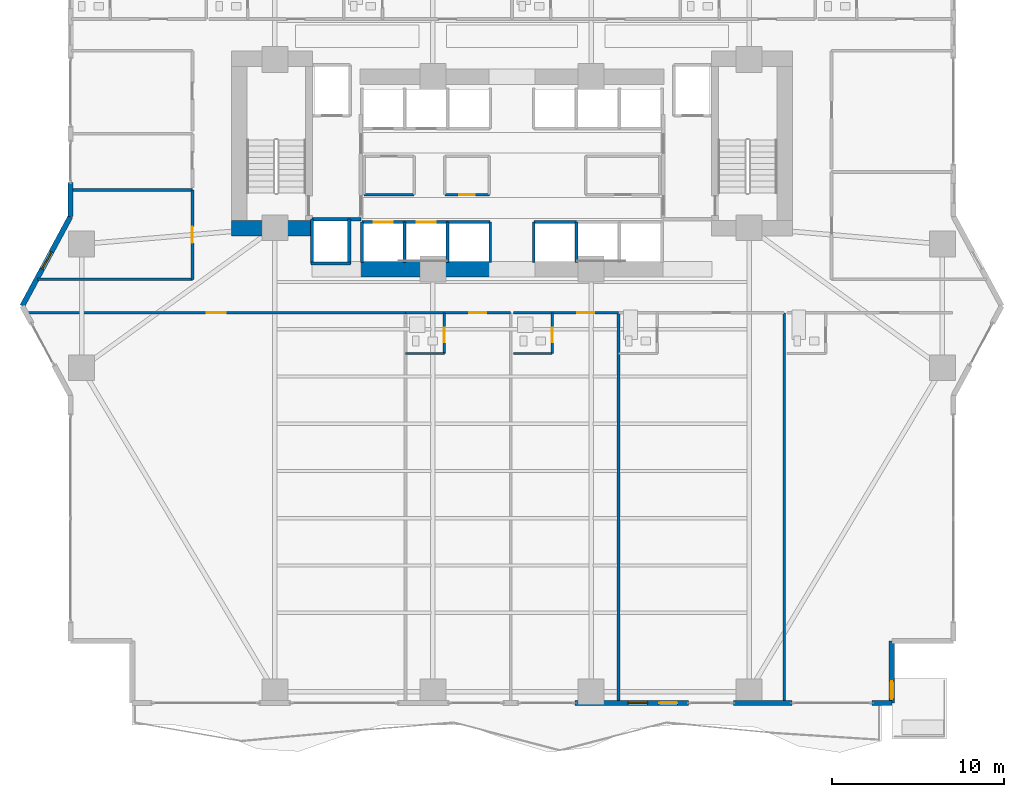
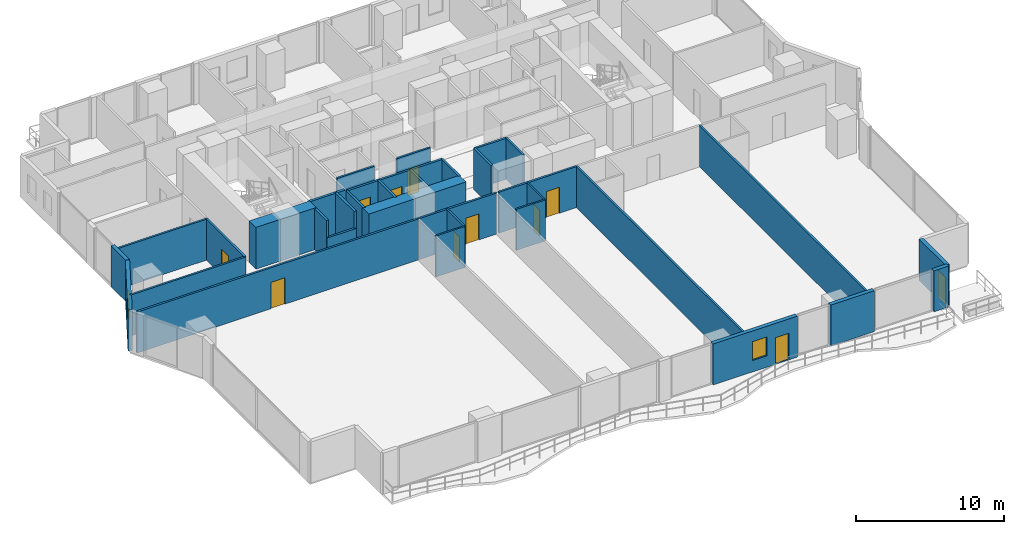
# One storey, part 19 of 30: 36 walls, 11 doors, 2 windows, 13 openings.
"""IFC4 building model written with IfcOpenShell, lengths in metres."""

from ifc_helpers import new_model, si_unit, direction, frame, frame_2d, origin, place, context, subcontext, project, spatial, rectangle, extrude, material, layer, layer_set, type_object, element, fill, save


model = new_model("IFC4")

# Units and contexts
model_context = context("Model", 3, precision=1e-05, world=origin(), true_north=direction((0.0, 1.0)))
body_context = subcontext(model_context, "Body", "Model", "MODEL_VIEW")
ifc_project = project(units=[si_unit("LENGTHUNIT", "METRE"), si_unit("AREAUNIT", "SQUARE_METRE"), si_unit("VOLUMEUNIT", "CUBIC_METRE"), si_unit("PLANEANGLEUNIT", "RADIAN"), si_unit("MASSUNIT", "GRAM", prefix="KILO")], contexts=[model_context])

# Site, building, storey
site_placement = place(None, origin())
site = spatial("IfcSite", under=ifc_project, at=site_placement, CompositionType="ELEMENT")
building_placement = place(site_placement, origin())
building = spatial("IfcBuilding", under=site, at=building_placement, Name="Zuhayl Quay Hotel", CompositionType="ELEMENT")
storey_placement = place(building_placement, frame((0.0, 0.0, 86.0)))
storey = spatial("IfcBuildingStorey", under=building, at=storey_placement, Name="L21", CompositionType="ELEMENT", Elevation=86.0)

# Walls
ifc_material_1 = material(Name="Concrete C70/85", Category="concrete")
ifc_layer_1 = layer(ifc_material_1, 0.89990234375, Name="Concrete C70/85", Category="concrete")
ifc_layer_set_1 = layer_set([ifc_layer_1], Name="Concrete C70/85")
wall_type_1 = type_object("IfcWallType", Name="WL_CORE_900", PredefinedType="SHEAR", material=ifc_layer_set_1)
wall_1_placement = place(storey_placement, frame((-16.31005859375, 4.52001953125, 0.0), z_axis=(0.0, 0.0, 1.0), x_axis=(1.0, 0.0, 0.0)))
element("IfcWall", 1, at=wall_1_placement, inside=storey, type_object=wall_type_1, Name="L21 Core Shear Wall CW_SW", PredefinedType="SHEAR", context=body_context, shape_type="SweptSolid", body=[
    extrude(rectangle(XDim=4.7099609375, YDim=0.89990234375, at=frame_2d((2.35498046875, 0.0))), origin(), (0.0, 0.0, 1.0), 3.4599609375),
])
wall_2_placement = place(storey_placement, frame((-8.85009765625, 2.14990234375, 0.0), z_axis=(0.0, 0.0, 1.0), x_axis=(1.0, 0.0, 0.0)))
element("IfcWall", 2, at=wall_2_placement, inside=storey, type_object=wall_type_1, Name="L21 Core Shear Wall CW_SC_W", PredefinedType="SHEAR", context=body_context, shape_type="SweptSolid", body=[
    extrude(rectangle(XDim=7.60009765625, YDim=0.89990234375, at=frame_2d((3.800048828125, 0.0))), origin(), (0.0, 0.0, 1.0), 3.389892578125),
])

# Wall, opening, window
ifc_material_2 = material(Name="Precast concrete C45/55", Category="concrete")
ifc_layer_2 = layer(ifc_material_2, 0.300048828125, Name="Precast concrete C45/55", Category="concrete")
ifc_layer_set_2 = layer_set([ifc_layer_2], Name="Precast concrete C45/55")
wall_type_2 = type_object("IfcWallType", Name="WL_EXT_300", PredefinedType="STANDARD", material=ifc_layer_set_2)
wall_3_placement = place(storey_placement, frame((-28.5, 0.0, 0.0), z_axis=(0.0, 0.0, 1.0), x_axis=(0.474109683532, 0.880465790352, 0.0)))
wall_3 = element("IfcWall", 3, at=wall_3_placement, inside=storey, type_object=wall_type_2, Name="L21 Exterior Precast Wall ENV_L21_E04_EW1", PredefinedType="STANDARD", context=body_context, shape_type="SweptSolid", body=[
    extrude(rectangle(XDim=5.906005859375, YDim=0.300048828125, at=frame_2d((2.953125, 0.0))), origin(), (0.0, 0.0, 1.0), 3.389892578125),
])
opening_1_placement = place(wall_3_placement, frame((2.43212890625, 0.0, 0.949951171875)))
opening_1 = element("IfcOpeningElement", 4, at=opening_1_placement, cuts=wall_3, Name="Opening W01N", PredefinedType="OPENING", context=body_context, shape_type="SweptSolid", body=[
    extrude(rectangle(XDim=1.14990234375, YDim=1.550048828125, at=frame_2d((0.574951171875, 0.77490234375))), frame((0.0, 0.159912109375, 0.0), z_axis=(0.0, -1.0, 0.0), x_axis=(1.0, 0.0, 0.0)), (0.0, 0.0, 1.0), 0.320068359375),
])
ifc_material_3 = material(Name="Dark Ceramic-Fritted Solar Glass", Category="glass")
window_type = type_object("IfcWindowType", Name="WN_NOTCH_1350", PartitioningType="SINGLE_PANEL", PredefinedType="WINDOW", material=ifc_material_3)
window_1_placement = place(opening_1_placement, origin())
window_1 = element("IfcWindow", 5, at=window_1_placement, inside=storey, type_object=window_type, Name="L21 Operable Facade Window 1-1", OverallHeight=1.550048828125, OverallWidth=1.14990234375, PartitioningType="SINGLE_PANEL", PredefinedType="WINDOW", context=body_context, shape_type="SweptSolid", body=[
    extrude(rectangle(XDim=1.14990234375, YDim=1.550048828125, at=frame_2d((0.574951171875, 0.77490234375))), frame((0.0, 0.030029296875, 0.0), z_axis=(0.0, -1.0, 0.0), x_axis=(1.0, 0.0, 0.0)), (0.0, 0.0, 1.0), 0.06005859375),
])
fill(opening_1, window_1)

# Wall
wall_4_placement = place(storey_placement, frame((-25.699951171875, 5.199951171875, 0.0), z_axis=(0.0, 0.0, 1.0), x_axis=(0.0, 1.0, 0.0)))
element("IfcWall", 6, at=wall_4_placement, inside=storey, type_object=wall_type_2, Name="L21 Exterior Precast Wall ENV_L21_E05_EW1", PredefinedType="STANDARD", context=body_context, shape_type="SweptSolid", body=[
    extrude(rectangle(XDim=2.0, YDim=0.300048828125, at=frame_2d((1.0, 0.0))), origin(), (0.0, 0.0, 1.0), 3.389892578125),
])

# Wall, opening, door
wall_5_placement = place(storey_placement, frame((22.10009765625, -19.5, 0.0), z_axis=(0.0, 0.0, 1.0), x_axis=(0.0, -1.0, 0.0)))
wall_5 = element("IfcWall", 7, at=wall_5_placement, inside=storey, type_object=wall_type_2, Name="L21 Exterior Precast Wall ENV_L21_SP_SE", PredefinedType="STANDARD", context=body_context, shape_type="SweptSolid", body=[
    extrude(rectangle(XDim=3.60009765625, YDim=0.300048828125, at=frame_2d((1.800048828125, 0.0))), origin(), (0.0, 0.0, 1.0), 3.389892578125),
])
opening_2_placement = place(wall_5_placement, frame((2.330078125, 0.0, 0.0)))
opening_2 = element("IfcOpeningElement", 8, at=opening_2_placement, cuts=wall_5, Name="Opening DG1", PredefinedType="OPENING", context=body_context, shape_type="SweptSolid", body=[
    extrude(rectangle(XDim=1.050048828125, YDim=2.199951171875, at=frame_2d((0.52490234375, 1.10009765625))), frame((0.0, 0.159912109375, 0.0), z_axis=(0.0, -1.0, 0.0), x_axis=(1.0, 0.0, 0.0)), (0.0, 0.0, 1.0), 0.320068359375),
])
ifc_material_4 = material(Name="Anodised Aluminium and Dark Solar Glass", Category="aluminium")
door_type_1 = type_object("IfcDoorType", Name="DR_EXT_TERR_1050", OperationType="NOTDEFINED", PredefinedType="DOOR", material=ifc_material_4)
door_1_placement = place(opening_2_placement, origin())
door_1 = element("IfcDoor", 9, at=door_1_placement, inside=storey, type_object=door_type_1, Name="L21 Spiral Sky-Terrace SE Access Door", OperationType="SINGLE_SWING_LEFT", OverallHeight=2.199951171875, OverallWidth=1.050048828125, PredefinedType="DOOR", context=body_context, shape_type="SweptSolid", body=[
    extrude(rectangle(XDim=1.050048828125, YDim=2.199951171875, at=frame_2d((0.52490234375, 1.10009765625))), frame((0.0, 0.02490234375, 0.0), z_axis=(0.0, -1.0, 0.0), x_axis=(1.0, 0.0, 0.0)), (0.0, 0.0, 1.0), 0.050048828125),
])
fill(opening_2, door_1)

# Walls
wall_6_placement = place(storey_placement, frame((22.10009765625, -23.10009765625, 0.0), z_axis=(0.0, 0.0, 1.0), x_axis=(-1.0, 0.0, 0.0)))
element("IfcWall", 10, at=wall_6_placement, inside=storey, type_object=wall_type_2, Name="L21 Exterior Precast Wall ENV_L21_S_EW1", PredefinedType="STANDARD", context=body_context, shape_type="SweptSolid", body=[
    extrude(rectangle(XDim=1.150146484375, YDim=0.300048828125, at=frame_2d((0.5751953125, 0.0))), origin(), (0.0, 0.0, 1.0), 3.389892578125),
])
wall_7_placement = place(storey_placement, frame((16.2900390625, -23.10009765625, 0.0), z_axis=(0.0, 0.0, 1.0), x_axis=(-1.0, 0.0, 0.0)))
element("IfcWall", 11, at=wall_7_placement, inside=storey, type_object=wall_type_2, Name="L21 Exterior Precast Wall ENV_L21_S_EW2", PredefinedType="STANDARD", context=body_context, shape_type="SweptSolid", body=[
    extrude(rectangle(XDim=3.41015625, YDim=0.300048828125, at=frame_2d((1.705078125, 0.0))), origin(), (0.0, 0.0, 1.0), 3.389892578125),
])

# Wall, openings, door, window
wall_8_placement = place(storey_placement, frame((10.26708984375, -23.10009765625, 0.0), z_axis=(0.0, 0.0, 1.0), x_axis=(-1.0, 0.0, 0.0)))
wall_8 = element("IfcWall", 12, at=wall_8_placement, inside=storey, type_object=wall_type_2, Name="L21 Exterior Precast Wall ENV_L21_S_EW3", PredefinedType="STANDARD", context=body_context, shape_type="SweptSolid", body=[
    extrude(rectangle(XDim=6.587158203125, YDim=0.300048828125, at=frame_2d((3.29345703125, 0.0))), origin(), (0.0, 0.0, 1.0), 3.389892578125),
])
opening_3_placement = place(wall_8_placement, frame((0.64990234375, 0.0, 0.0)))
opening_3 = element("IfcOpeningElement", 13, at=opening_3_placement, cuts=wall_8, Name="Opening DG1", PredefinedType="OPENING", context=body_context, shape_type="SweptSolid", body=[
    extrude(rectangle(XDim=1.050048828125, YDim=2.199951171875, at=frame_2d((0.52490234375, 1.10009765625))), frame((0.0, 0.159912109375, 0.0), z_axis=(0.0, -1.0, 0.0), x_axis=(1.0, 0.0, 0.0)), (0.0, 0.0, 1.0), 0.320068359375),
])
opening_4_placement = place(wall_8_placement, frame((2.37353515625, 0.0, 0.949951171875)))
opening_4 = element("IfcOpeningElement", 14, at=opening_4_placement, cuts=wall_8, Name="Opening W01N", PredefinedType="OPENING", context=body_context, shape_type="SweptSolid", body=[
    extrude(rectangle(XDim=1.14990234375, YDim=1.550048828125, at=frame_2d((0.574951171875, 0.77490234375))), frame((0.0, 0.159912109375, 0.0), z_axis=(0.0, -1.0, 0.0), x_axis=(1.0, 0.0, 0.0)), (0.0, 0.0, 1.0), 0.320068359375),
])
door_2_placement = place(opening_3_placement, origin())
door_2 = element("IfcDoor", 15, at=door_2_placement, inside=storey, type_object=door_type_1, Name="L21 South Rippling Balcony Door", OperationType="SINGLE_SWING_RIGHT", OverallHeight=2.199951171875, OverallWidth=1.050048828125, PredefinedType="DOOR", context=body_context, shape_type="SweptSolid", body=[
    extrude(rectangle(XDim=1.050048828125, YDim=2.199951171875, at=frame_2d((0.52490234375, 1.10009765625))), frame((0.0, 0.02490234375, 0.0), z_axis=(0.0, -1.0, 0.0), x_axis=(1.0, 0.0, 0.0)), (0.0, 0.0, 1.0), 0.050048828125),
])
fill(opening_3, door_2)
window_2_placement = place(opening_4_placement, origin())
window_2 = element("IfcWindow", 16, at=window_2_placement, inside=storey, type_object=window_type, Name="L21 Operable Facade Window 3-1", OverallHeight=1.550048828125, OverallWidth=1.14990234375, PartitioningType="SINGLE_PANEL", PredefinedType="WINDOW", context=body_context, shape_type="SweptSolid", body=[
    extrude(rectangle(XDim=1.14990234375, YDim=1.550048828125, at=frame_2d((0.574951171875, 0.77490234375))), frame((0.0, 0.030029296875, 0.0), z_axis=(0.0, -1.0, 0.0), x_axis=(1.0, 0.0, 0.0)), (0.0, 0.0, 1.0), 0.06005859375),
])
fill(opening_4, window_2)

# Wall, opening, door
ifc_material_5 = material(Name="Acoustic Gypsum Partition STC-58")
ifc_layer_3 = layer(ifc_material_5, 0.14990234375, Name="Acoustic Gypsum Partition STC-58")
ifc_layer_set_3 = layer_set([ifc_layer_3], Name="Acoustic Gypsum Partition STC-58")
wall_type_3 = type_object("IfcWallType", Name="WL_PART_150", PredefinedType="PARTITIONING", material=ifc_layer_set_3)
wall_9_placement = place(storey_placement, frame((-3.909912109375, 6.47998046875, 0.0), z_axis=(0.0, 0.0, 1.0), x_axis=(1.0, 0.0, 0.0)))
wall_9 = element("IfcWall", 17, at=wall_9_placement, inside=storey, type_object=wall_type_3, Name="L21 Partition IW_L21_CORE_BC_S", PredefinedType="PARTITIONING", context=body_context, shape_type="SweptSolid", body=[
    extrude(rectangle(XDim=2.58984375, YDim=0.14990234375, at=frame_2d((1.294921875, 0.0))), origin(), (0.0, 0.0, 1.0), 3.389892578125),
])
opening_5_placement = place(wall_9_placement, frame((0.844970703125, 0.0, 0.0)))
opening_5 = element("IfcOpeningElement", 18, at=opening_5_placement, cuts=wall_9, Name="Opening D06", PredefinedType="OPENING", context=body_context, shape_type="SweptSolid", body=[
    extrude(rectangle(XDim=0.89990234375, YDim=2.14990234375, at=frame_2d((0.449951171875, 1.074951171875))), frame((0.0, 0.0849609375, 0.0), z_axis=(0.0, -1.0, 0.0), x_axis=(1.0, 0.0, 0.0)), (0.0, 0.0, 1.0), 0.169921875),
])
ifc_material_6 = material(Name="Steel ASTM A992 Grade 50", Category="steel")
door_type_2 = type_object("IfcDoorType", Name="DR_INT_900", OperationType="NOTDEFINED", PredefinedType="DOOR", material=ifc_material_6)
door_3_placement = place(opening_5_placement, origin())
door_3 = element("IfcDoor", 19, at=door_3_placement, inside=storey, type_object=door_type_2, Name="L21 BMS Control Closet Door", OperationType="SINGLE_SWING_RIGHT", OverallHeight=2.14990234375, OverallWidth=0.89990234375, PredefinedType="DOOR", context=body_context, shape_type="SweptSolid", body=[
    extrude(rectangle(XDim=0.89990234375, YDim=2.14990234375, at=frame_2d((0.449951171875, 1.074951171875))), frame((0.0, 0.02490234375, 0.0), z_axis=(0.0, -1.0, 0.0), x_axis=(1.0, 0.0, 0.0)), (0.0, 0.0, 1.0), 0.050048828125),
])
fill(opening_5, door_3)

# Walls
wall_10_placement = place(storey_placement, frame((-8.610107421875, 6.47998046875, 0.0), z_axis=(0.0, 0.0, 1.0), x_axis=(1.0, 0.0, 0.0)))
element("IfcWall", 20, at=wall_10_placement, inside=storey, type_object=wall_type_3, Name="L21 Partition IW_L21_CORE_HK_S", PredefinedType="PARTITIONING", context=body_context, shape_type="SweptSolid", body=[
    extrude(rectangle(XDim=2.920166015625, YDim=0.14990234375, at=frame_2d((1.4599609375, 0.0))), origin(), (0.0, 0.0, 1.0), 3.389892578125),
])
for number, where, z_axis, x_axis, name in (
    (21, (6.199951171875, -23.02001953125, 0.0), (0.0, 0.0, 1.0), (0.0, 1.0, 0.0), "L21 Partition IW_L21_SU02B_E"),
    (22, (15.840087890625, -23.02001953125, 0.0), (0.0, 0.0, 1.0), (0.0, 1.0, 0.0), "L21 Partition IW_L21_SU03A_E"),
):
    element("IfcWall", number, at=place(storey_placement, frame(where, z_axis=z_axis, x_axis=x_axis)), inside=storey, type_object=wall_type_3, Name=name, PredefinedType="PARTITIONING", context=body_context, shape_type="SweptSolid", body=[
        extrude(rectangle(XDim=22.6201171875, YDim=0.14990234375, at=frame_2d((11.31005859375, 0.0))), origin(), (0.0, 0.0, 1.0), 3.389892578125),
    ])
wall_11_placement = place(storey_placement, frame((-27.60546875, 1.550048828125, 0.0), z_axis=(0.0, 0.0, 1.0), x_axis=(1.0, 0.0, 0.0)))
element("IfcWall", 23, at=wall_11_placement, inside=storey, type_object=wall_type_3, Name="L21 Partition IW_L21_WPROW_1_S", PredefinedType="PARTITIONING", context=body_context, shape_type="SweptSolid", body=[
    extrude(rectangle(XDim=9.00537109375, YDim=0.14990234375, at=frame_2d((4.502685546875, 0.0))), origin(), (0.0, 0.0, 1.0), 3.389892578125),
])
wall_12_placement = place(storey_placement, frame((-25.639892578125, 6.75, 0.0), z_axis=(0.0, 0.0, 1.0), x_axis=(1.0, 0.0, 0.0)))
element("IfcWall", 24, at=wall_12_placement, inside=storey, type_object=wall_type_3, Name="L21 Partition IW_L21_WPROW_1_N", PredefinedType="PARTITIONING", context=body_context, shape_type="SweptSolid", body=[
    extrude(rectangle(XDim=7.039794921875, YDim=0.14990234375, at=frame_2d((3.52001953125, 0.0))), origin(), (0.0, 0.0, 1.0), 3.389892578125),
])

# Wall, opening, door
ifc_layer_4 = layer(ifc_material_5, 0.159912109375, Name="Acoustic Gypsum Partition STC-58")
ifc_layer_set_4 = layer_set([ifc_layer_4], Name="Acoustic Gypsum Partition STC-58")
wall_type_4 = type_object("IfcWallType", Name="WL_PART_CORR_160", PredefinedType="PARTITIONING", material=ifc_layer_set_4)
wall_13_placement = place(storey_placement, frame((-28.224609375, -0.39990234375, 0.0), z_axis=(0.0, 0.0, 1.0), x_axis=(1.0, 0.0, 0.0)))
wall_13 = element("IfcWall", 25, at=wall_13_placement, inside=storey, type_object=wall_type_4, Name="L21 Partition IW_L21_SSAL_0_N", PredefinedType="PARTITIONING", context=body_context, shape_type="SweptSolid", body=[
    extrude(rectangle(XDim=22.024658203125, YDim=0.159912109375, at=frame_2d((11.01220703125, 0.0))), origin(), (0.0, 0.0, 1.0), 3.389892578125),
])
opening_6_placement = place(wall_13_placement, frame((10.472412109375, 0.0, 0.0)))
opening_6 = element("IfcOpeningElement", 26, at=opening_6_placement, cuts=wall_13, Name="Opening D05A", PredefinedType="OPENING", context=body_context, shape_type="SweptSolid", body=[
    extrude(rectangle(XDim=1.080078125, YDim=2.179931640625, at=frame_2d((0.5400390625, 1.08984375))), frame((0.0, 0.08984375, 0.0), z_axis=(0.0, -1.0, 0.0), x_axis=(1.0, 0.0, 0.0)), (0.0, 0.0, 1.0), 0.179931640625),
])
ifc_material_7 = material(Name="Solid Walnut Acoustic Fire Door")
door_type_3 = type_object("IfcDoorType", Name="DR_INT_1100", OperationType="NOTDEFINED", PredefinedType="DOOR", material=ifc_material_7)
door_4_placement = place(opening_6_placement, origin())
door_4 = element("IfcDoor", 27, at=door_4_placement, inside=storey, type_object=door_type_3, Name="L21 South Sunset Salon L21 Door", OperationType="SINGLE_SWING_RIGHT", OverallHeight=2.179931640625, OverallWidth=1.080078125, PredefinedType="DOOR", context=body_context, shape_type="SweptSolid", body=[
    extrude(rectangle(XDim=1.080078125, YDim=2.179931640625, at=frame_2d((0.5400390625, 1.08984375))), frame((0.0, 0.02490234375, 0.0), z_axis=(0.0, -1.0, 0.0), x_axis=(1.0, 0.0, 0.0)), (0.0, 0.0, 1.0), 0.050048828125),
])
fill(opening_6, door_4)

wall_14_placement = place(storey_placement, frame((-6.199951171875, -0.39990234375, 0.0), z_axis=(0.0, 0.0, 1.0), x_axis=(1.0, 0.0, 0.0)))
wall_14 = element("IfcWall", 28, at=wall_14_placement, inside=storey, type_object=wall_type_4, Name="L21 Partition IW_L21_SU02A_COR", PredefinedType="PARTITIONING", context=body_context, shape_type="SweptSolid", body=[
    extrude(rectangle(XDim=6.119873046875, YDim=0.159912109375, at=frame_2d((3.06005859375, 0.0))), origin(), (0.0, 0.0, 1.0), 3.389892578125),
])
opening_7_placement = place(wall_14_placement, frame((3.7099609375, 0.0, 0.0)))
opening_7 = element("IfcOpeningElement", 29, at=opening_7_placement, cuts=wall_14, Name="Opening D03L", PredefinedType="OPENING", context=body_context, shape_type="SweptSolid", body=[
    extrude(rectangle(XDim=1.0, YDim=2.14990234375, at=frame_2d((0.5, 1.074951171875))), frame((0.0, 0.08984375, 0.0), z_axis=(0.0, -1.0, 0.0), x_axis=(1.0, 0.0, 0.0)), (0.0, 0.0, 1.0), 0.179931640625),
])
door_type_4 = type_object("IfcDoorType", Name="DR_SUITE_1000", OperationType="NOTDEFINED", PredefinedType="DOOR", material=ifc_material_7)
door_5_placement = place(opening_7_placement, origin())
door_5 = element("IfcDoor", 30, at=door_5_placement, inside=storey, type_object=door_type_4, Name="L21 City-View Junior Suite L21-02A Entrance Door", OperationType="SINGLE_SWING_RIGHT", OverallHeight=2.14990234375, OverallWidth=1.0, PredefinedType="DOOR", context=body_context, shape_type="SweptSolid", body=[
    extrude(rectangle(XDim=1.0, YDim=2.14990234375, at=frame_2d((0.5, 1.074951171875))), frame((0.0, 0.02490234375, 0.0), z_axis=(0.0, -1.0, 0.0), x_axis=(1.0, 0.0, 0.0)), (0.0, 0.0, 1.0), 0.050048828125),
])
fill(opening_7, door_5)

wall_15_placement = place(storey_placement, frame((0.080078125, -0.39990234375, 0.0), z_axis=(0.0, 0.0, 1.0), x_axis=(1.0, 0.0, 0.0)))
wall_15 = element("IfcWall", 31, at=wall_15_placement, inside=storey, type_object=wall_type_4, Name="L21 Partition IW_L21_SU02B_COR", PredefinedType="PARTITIONING", context=body_context, shape_type="SweptSolid", body=[
    extrude(rectangle(XDim=6.119873046875, YDim=0.159912109375, at=frame_2d((3.06005859375, 0.0))), origin(), (0.0, 0.0, 1.0), 3.389892578125),
])
opening_8_placement = place(wall_15_placement, frame((3.7099609375, 0.0, 0.0)))
opening_8 = element("IfcOpeningElement", 32, at=opening_8_placement, cuts=wall_15, Name="Opening D03L", PredefinedType="OPENING", context=body_context, shape_type="SweptSolid", body=[
    extrude(rectangle(XDim=1.0, YDim=2.14990234375, at=frame_2d((0.5, 1.074951171875))), frame((0.0, 0.08984375, 0.0), z_axis=(0.0, -1.0, 0.0), x_axis=(1.0, 0.0, 0.0)), (0.0, 0.0, 1.0), 0.179931640625),
])
door_6_placement = place(opening_8_placement, origin())
door_6 = element("IfcDoor", 33, at=door_6_placement, inside=storey, type_object=door_type_4, Name="L21 City-View Junior Suite L21-02B Entrance Door", OperationType="SINGLE_SWING_RIGHT", OverallHeight=2.14990234375, OverallWidth=1.0, PredefinedType="DOOR", context=body_context, shape_type="SweptSolid", body=[
    extrude(rectangle(XDim=1.0, YDim=2.14990234375, at=frame_2d((0.5, 1.074951171875))), frame((0.0, 0.02490234375, 0.0), z_axis=(0.0, -1.0, 0.0), x_axis=(1.0, 0.0, 0.0)), (0.0, 0.0, 1.0), 0.050048828125),
])
fill(opening_8, door_6)

wall_16_placement = place(storey_placement, frame((-18.60009765625, 1.550048828125, 0.0), z_axis=(0.0, 0.0, 1.0), x_axis=(0.0, 1.0, 0.0)))
wall_16 = element("IfcWall", 34, at=wall_16_placement, inside=storey, type_object=wall_type_4, Name="L21 Partition IW_L21_WPROW_1_E", PredefinedType="PARTITIONING", context=body_context, shape_type="SweptSolid", body=[
    extrude(rectangle(XDim=5.199951171875, YDim=0.159912109375, at=frame_2d((2.60009765625, 0.0))), origin(), (0.0, 0.0, 1.0), 3.389892578125),
])
opening_9_placement = place(wall_16_placement, frame((2.125, 0.0, 0.0)))
opening_9 = element("IfcOpeningElement", 35, at=opening_9_placement, cuts=wall_16, Name="Opening D03", PredefinedType="OPENING", context=body_context, shape_type="SweptSolid", body=[
    extrude(rectangle(XDim=0.949951171875, YDim=2.14990234375, at=frame_2d((0.47509765625, 1.074951171875))), frame((0.0, 0.08984375, 0.0), z_axis=(0.0, -1.0, 0.0), x_axis=(1.0, 0.0, 0.0)), (0.0, 0.0, 1.0), 0.179931640625),
])
door_type_5 = type_object("IfcDoorType", Name="DR_SUITE_950", OperationType="NOTDEFINED", PredefinedType="DOOR", material=ifc_material_7)
door_7_placement = place(opening_9_placement, origin())
door_7 = element("IfcDoor", 36, at=door_7_placement, inside=storey, type_object=door_type_5, Name="L21 West Prow Office L21 Door", OperationType="SINGLE_SWING_LEFT", OverallHeight=2.14990234375, OverallWidth=0.949951171875, PredefinedType="DOOR", context=body_context, shape_type="SweptSolid", body=[
    extrude(rectangle(XDim=0.949951171875, YDim=2.14990234375, at=frame_2d((0.47509765625, 1.074951171875))), frame((0.0, 0.02490234375, 0.0), z_axis=(0.0, -1.0, 0.0), x_axis=(1.0, 0.0, 0.0)), (0.0, 0.0, 1.0), 0.050048828125),
])
fill(opening_9, door_7)

ifc_material_8 = material(Name="Moisture-Resistant Sanitarychase Gypsum")
ifc_layer_5 = layer(ifc_material_8, 0.135009765625, Name="Moisture-Resistant Sanitarychase Gypsum")
ifc_layer_set_5 = layer_set([ifc_layer_5], Name="Moisture-Resistant Sanitarychase Gypsum")
wall_type_5 = type_object("IfcWallType", Name="WL_PART_PLUMB_150", PredefinedType="PLUMBINGWALL", material=ifc_layer_set_5)
wall_17_placement = place(storey_placement, frame((-3.93994140625, -2.760009765625, 0.0), z_axis=(0.0, 0.0, 1.0), x_axis=(0.0, 1.0, 0.0)))
wall_17 = element("IfcWall", 37, at=wall_17_placement, inside=storey, type_object=wall_type_5, Name="L21 Partition IW_L21_SU02A_BE", PredefinedType="PLUMBINGWALL", context=body_context, shape_type="SweptSolid", body=[
    extrude(rectangle(XDim=2.360107421875, YDim=0.135009765625, at=frame_2d((1.18017578125, 0.0))), origin(), (0.0, 0.0, 1.0), 3.389892578125),
])
opening_10_placement = place(wall_17_placement, frame((0.64990234375, 0.0, 0.0)))
opening_10 = element("IfcOpeningElement", 38, at=opening_10_placement, cuts=wall_17, Name="Opening D04", PredefinedType="OPENING", context=body_context, shape_type="SweptSolid", body=[
    extrude(rectangle(XDim=0.85009765625, YDim=2.10009765625, at=frame_2d((0.425048828125, 1.050048828125))), frame((0.0, 0.077392578125, 0.0), z_axis=(0.0, -1.0, 0.0), x_axis=(1.0, 0.0, 0.0)), (0.0, 0.0, 1.0), 0.155029296875),
])
ifc_material_9 = material(Name="Moisture-Resistant Walnut Veneer")
door_type_6 = type_object("IfcDoorType", Name="DR_BATH_850", OperationType="NOTDEFINED", PredefinedType="DOOR", material=ifc_material_9)
door_8_placement = place(opening_10_placement, origin())
door_8 = element("IfcDoor", 39, at=door_8_placement, inside=storey, type_object=door_type_6, Name="L21 City-View Junior Suite L21-02A En-Suite Door", OperationType="SINGLE_SWING_LEFT", OverallHeight=2.10009765625, OverallWidth=0.85009765625, PredefinedType="DOOR", context=body_context, shape_type="SweptSolid", body=[
    extrude(rectangle(XDim=0.85009765625, YDim=2.10009765625, at=frame_2d((0.425048828125, 1.050048828125))), frame((0.0, 0.02490234375, 0.0), z_axis=(0.0, -1.0, 0.0), x_axis=(1.0, 0.0, 0.0)), (0.0, 0.0, 1.0), 0.050048828125),
])
fill(opening_10, door_8)

wall_18_placement = place(storey_placement, frame((2.340087890625, -2.760009765625, 0.0), z_axis=(0.0, 0.0, 1.0), x_axis=(0.0, 1.0, 0.0)))
wall_18 = element("IfcWall", 40, at=wall_18_placement, inside=storey, type_object=wall_type_5, Name="L21 Partition IW_L21_SU02B_BE", PredefinedType="PLUMBINGWALL", context=body_context, shape_type="SweptSolid", body=[
    extrude(rectangle(XDim=2.360107421875, YDim=0.135009765625, at=frame_2d((1.18017578125, 0.0))), origin(), (0.0, 0.0, 1.0), 3.389892578125),
])
opening_11_placement = place(wall_18_placement, frame((0.64990234375, 0.0, 0.0)))
opening_11 = element("IfcOpeningElement", 41, at=opening_11_placement, cuts=wall_18, Name="Opening D04", PredefinedType="OPENING", context=body_context, shape_type="SweptSolid", body=[
    extrude(rectangle(XDim=0.85009765625, YDim=2.10009765625, at=frame_2d((0.425048828125, 1.050048828125))), frame((0.0, 0.077392578125, 0.0), z_axis=(0.0, -1.0, 0.0), x_axis=(1.0, 0.0, 0.0)), (0.0, 0.0, 1.0), 0.155029296875),
])
door_9_placement = place(opening_11_placement, origin())
door_9 = element("IfcDoor", 42, at=door_9_placement, inside=storey, type_object=door_type_6, Name="L21 City-View Junior Suite L21-02B En-Suite Door", OperationType="SINGLE_SWING_LEFT", OverallHeight=2.10009765625, OverallWidth=0.85009765625, PredefinedType="DOOR", context=body_context, shape_type="SweptSolid", body=[
    extrude(rectangle(XDim=0.85009765625, YDim=2.10009765625, at=frame_2d((0.425048828125, 1.050048828125))), frame((0.0, 0.02490234375, 0.0), z_axis=(0.0, -1.0, 0.0), x_axis=(1.0, 0.0, 0.0)), (0.0, 0.0, 1.0), 0.050048828125),
])
fill(opening_11, door_9)

# Walls
for number, where, z_axis, x_axis, name in (
    (43, (-6.199951171875, -2.760009765625, 0.0), (0.0, 0.0, 1.0), (1.0, 0.0, 0.0), "L21 Partition IW_L21_SU02A_BS"),
    (44, (0.080078125, -2.760009765625, 0.0), (0.0, 0.0, 1.0), (1.0, 0.0, 0.0), "L21 Partition IW_L21_SU02B_BS"),
):
    element("IfcWall", number, at=place(storey_placement, frame(where, z_axis=z_axis, x_axis=x_axis)), inside=storey, type_object=wall_type_5, Name=name, PredefinedType="PLUMBINGWALL", context=body_context, shape_type="SweptSolid", body=[
        extrude(rectangle(XDim=2.260009765625, YDim=0.135009765625, at=frame_2d((1.1298828125, 0.0))), origin(), (0.0, 0.0, 1.0), 3.389892578125),
    ])

# Wall, opening, door
ifc_material_10 = material(Name="Gypsum Fireboard Assembly EI-90")
ifc_layer_6 = layer(ifc_material_10, 0.1650390625, Name="Gypsum Fireboard Assembly EI-90")
ifc_layer_set_6 = layer_set([ifc_layer_6], Name="Gypsum Fireboard Assembly EI-90")
wall_type_6 = type_object("IfcWallType", Name="WL_PART_SHAFT_160", PredefinedType="PARTITIONING", material=ifc_layer_set_6)
wall_19_placement = place(storey_placement, frame((-8.72998046875, 4.8798828125, 0.0), z_axis=(0.0, 0.0, 1.0), x_axis=(1.0, 0.0, 0.0)))
wall_19 = element("IfcWall", 45, at=wall_19_placement, inside=storey, type_object=wall_type_6, Name="L21 Partition IW_L21_SH_LP1_F", PredefinedType="PARTITIONING", context=body_context, shape_type="SweptSolid", body=[
    extrude(rectangle(XDim=2.47998046875, YDim=0.1650390625, at=frame_2d((1.239990234375, 0.0))), origin(), (0.0, 0.0, 1.0), 3.389892578125),
])
opening_12_placement = place(wall_19_placement, frame((0.68994140625, 0.0, 0.0)))
opening_12 = element("IfcOpeningElement", 46, at=opening_12_placement, cuts=wall_19, Name="Opening LD1", PredefinedType="OPENING", context=body_context, shape_type="SweptSolid", body=[
    extrude(rectangle(XDim=1.10009765625, YDim=2.25, at=frame_2d((0.550048828125, 1.125))), frame((0.0, 0.092529296875, 0.0), z_axis=(0.0, -1.0, 0.0), x_axis=(1.0, 0.0, 0.0)), (0.0, 0.0, 1.0), 0.18505859375),
])
ifc_material_11 = material(Name="Brushed Stainless Steel", Category="steel")
door_type_7 = type_object("IfcDoorType", Name="DR_LIFT_PASS_1100", OperationType="SLIDING_TO_LEFT", PredefinedType="DOOR", material=ifc_material_11)
door_10_placement = place(opening_12_placement, origin())
door_10 = element("IfcDoor", 47, at=door_10_placement, inside=storey, type_object=door_type_7, Name="L21 Lift LP1 Sliding Landing Door", OperationType="SLIDING_TO_LEFT", OverallHeight=2.25, OverallWidth=1.10009765625, PredefinedType="DOOR", context=body_context, shape_type="SweptSolid", body=[
    extrude(rectangle(XDim=1.10009765625, YDim=2.25, at=frame_2d((0.550048828125, 1.125))), frame((0.0, 0.02490234375, 0.0), z_axis=(0.0, -1.0, 0.0), x_axis=(1.0, 0.0, 0.0)), (0.0, 0.0, 1.0), 0.050048828125),
])
fill(opening_12, door_10)

wall_20_placement = place(storey_placement, frame((-6.25, 4.8798828125, 0.0), z_axis=(0.0, 0.0, 1.0), x_axis=(1.0, 0.0, 0.0)))
wall_20 = element("IfcWall", 48, at=wall_20_placement, inside=storey, type_object=wall_type_6, Name="L21 Partition IW_L21_SH_LP2_F", PredefinedType="PARTITIONING", context=body_context, shape_type="SweptSolid", body=[
    extrude(rectangle(XDim=2.5, YDim=0.1650390625, at=frame_2d((1.25, 0.0))), origin(), (0.0, 0.0, 1.0), 3.389892578125),
])
opening_13_placement = place(wall_20_placement, frame((0.699951171875, 0.0, 0.0)))
opening_13 = element("IfcOpeningElement", 49, at=opening_13_placement, cuts=wall_20, Name="Opening LD1", PredefinedType="OPENING", context=body_context, shape_type="SweptSolid", body=[
    extrude(rectangle(XDim=1.10009765625, YDim=2.25, at=frame_2d((0.550048828125, 1.125))), frame((0.0, 0.092529296875, 0.0), z_axis=(0.0, -1.0, 0.0), x_axis=(1.0, 0.0, 0.0)), (0.0, 0.0, 1.0), 0.18505859375),
])
door_11_placement = place(opening_13_placement, origin())
door_11 = element("IfcDoor", 50, at=door_11_placement, inside=storey, type_object=door_type_7, Name="L21 Lift LP2 Sliding Landing Door", OperationType="SLIDING_TO_LEFT", OverallHeight=2.25, OverallWidth=1.10009765625, PredefinedType="DOOR", context=body_context, shape_type="SweptSolid", body=[
    extrude(rectangle(XDim=1.10009765625, YDim=2.25, at=frame_2d((0.550048828125, 1.125))), frame((0.0, 0.02490234375, 0.0), z_axis=(0.0, -1.0, 0.0), x_axis=(1.0, 0.0, 0.0)), (0.0, 0.0, 1.0), 0.050048828125),
])
fill(opening_13, door_11)

# Walls
for number, where, z_axis, x_axis, name in (
    (51, (-8.72998046875, 2.52001953125, 0.0), (0.0, 0.0, 1.0), (0.0, 1.0, 0.0), "L21 Partition IW_L21_SH_LP1_W"),
    (52, (-6.25, 2.52001953125, 0.0), (0.0, 0.0, 1.0), (0.0, 1.0, 0.0), "L21 Partition IW_L21_SH_LP1_E"),
    (53, (-3.75, 2.52001953125, 0.0), (0.0, 0.0, 1.0), (0.0, 1.0, 0.0), "L21 Partition IW_L21_SH_LP2_E"),
):
    element("IfcWall", number, at=place(storey_placement, frame(where, z_axis=z_axis, x_axis=x_axis)), inside=storey, type_object=wall_type_6, Name=name, PredefinedType="PARTITIONING", context=body_context, shape_type="SweptSolid", body=[
        extrude(rectangle(XDim=2.35986328125, YDim=0.1650390625, at=frame_2d((1.179931640625, 0.0))), origin(), (0.0, 0.0, 1.0), 3.389892578125),
    ])
wall_21_placement = place(storey_placement, frame((-3.75, 4.8798828125, 0.0), z_axis=(0.0, 0.0, 1.0), x_axis=(1.0, 0.0, 0.0)))
element("IfcWall", 54, at=wall_21_placement, inside=storey, type_object=wall_type_6, Name="L21 Partition IW_L21_SH_MP1_F", PredefinedType="PARTITIONING", context=body_context, shape_type="SweptSolid", body=[
    extrude(rectangle(XDim=2.47998046875, YDim=0.1650390625, at=frame_2d((1.239990234375, 0.0))), origin(), (0.0, 0.0, 1.0), 3.389892578125),
])
wall_22_placement = place(storey_placement, frame((-1.27001953125, 2.52001953125, 0.0), z_axis=(0.0, 0.0, 1.0), x_axis=(0.0, 1.0, 0.0)))
element("IfcWall", 55, at=wall_22_placement, inside=storey, type_object=wall_type_6, Name="L21 Partition IW_L21_SH_MP1_E", PredefinedType="PARTITIONING", context=body_context, shape_type="SweptSolid", body=[
    extrude(rectangle(XDim=2.35986328125, YDim=0.1650390625, at=frame_2d((1.179931640625, 0.0))), origin(), (0.0, 0.0, 1.0), 3.389892578125),
])
wall_23_placement = place(storey_placement, frame((1.27001953125, 4.8798828125, 0.0), z_axis=(0.0, 0.0, 1.0), x_axis=(1.0, 0.0, 0.0)))
element("IfcWall", 56, at=wall_23_placement, inside=storey, type_object=wall_type_6, Name="L21 Partition IW_L21_SH_MP2_F", PredefinedType="PARTITIONING", context=body_context, shape_type="SweptSolid", body=[
    extrude(rectangle(XDim=2.47998046875, YDim=0.1650390625, at=frame_2d((1.239990234375, 0.0))), origin(), (0.0, 0.0, 1.0), 3.389892578125),
])
for number, where, z_axis, x_axis, name in (
    (57, (1.27001953125, 2.52001953125, 0.0), (0.0, 0.0, 1.0), (0.0, 1.0, 0.0), "L21 Partition IW_L21_SH_MP2_W"),
    (58, (3.75, 2.52001953125, 0.0), (0.0, 0.0, 1.0), (0.0, 1.0, 0.0), "L21 Partition IW_L21_SH_MP2_E"),
):
    element("IfcWall", number, at=place(storey_placement, frame(where, z_axis=z_axis, x_axis=x_axis)), inside=storey, type_object=wall_type_6, Name=name, PredefinedType="PARTITIONING", context=body_context, shape_type="SweptSolid", body=[
        extrude(rectangle(XDim=2.35986328125, YDim=0.1650390625, at=frame_2d((1.179931640625, 0.0))), origin(), (0.0, 0.0, 1.0), 3.389892578125),
    ])
wall_24_placement = place(storey_placement, frame((-11.6298828125, 2.469970703125, 0.0), z_axis=(0.0, 0.0, 1.0), x_axis=(0.0, 1.0, 0.0)))
element("IfcWall", 59, at=wall_24_placement, inside=storey, type_object=wall_type_6, Name="L21 Partition IW_L21_RISER_W", PredefinedType="PARTITIONING", context=body_context, shape_type="SweptSolid", body=[
    extrude(rectangle(XDim=2.580078125, YDim=0.1650390625, at=frame_2d((1.2900390625, 0.0))), origin(), (0.0, 0.0, 1.0), 3.389892578125),
])
wall_25_placement = place(storey_placement, frame((-11.7099609375, 2.469970703125, 0.0), z_axis=(0.0, 0.0, 1.0), x_axis=(1.0, 0.0, 0.0)))
element("IfcWall", 60, at=wall_25_placement, inside=storey, type_object=wall_type_6, Name="L21 Partition IW_L21_RISER_S", PredefinedType="PARTITIONING", context=body_context, shape_type="SweptSolid", body=[
    extrude(rectangle(XDim=2.31005859375, YDim=0.1650390625, at=frame_2d((1.155029296875, 0.0))), origin(), (0.0, 0.0, 1.0), 1.989990234375),
])
ifc_layer_7 = layer(ifc_material_10, 0.179931640625, Name="Gypsum Fireboard Assembly EI-90")
ifc_layer_set_7 = layer_set([ifc_layer_7], Name="Gypsum Fireboard Assembly EI-90")
wall_type_7 = type_object("IfcWallType", Name="WL_PART_SHAFT_180", PredefinedType="PARTITIONING", material=ifc_layer_set_7)
wall_26_placement = place(storey_placement, frame((-9.469970703125, 2.449951171875, 0.0), z_axis=(0.0, 0.0, 1.0), x_axis=(0.0, 1.0, 0.0)))
element("IfcWall", 61, at=wall_26_placement, inside=storey, type_object=wall_type_7, Name="L21 Partition IW_L21_RISER_E", PredefinedType="PARTITIONING", context=body_context, shape_type="SweptSolid", body=[
    extrude(rectangle(XDim=2.60009765625, YDim=0.179931640625, at=frame_2d((1.300048828125, 0.0))), origin(), (0.0, 0.0, 1.0), 3.389892578125),
])
ifc_material_12 = material(Name="Gypsum Fireboard Assembly EI-120")
ifc_layer_8 = layer(ifc_material_12, 0.199951171875, Name="Gypsum Fireboard Assembly EI-120")
ifc_layer_set_8 = layer_set([ifc_layer_8], Name="Gypsum Fireboard Assembly EI-120")
wall_type_8 = type_object("IfcWallType", Name="WL_PART_SHAFT_200", PredefinedType="PARTITIONING", material=ifc_layer_set_8)
wall_27_placement = place(storey_placement, frame((-11.64990234375, 5.050048828125, 0.0), z_axis=(0.0, 0.0, 1.0), x_axis=(1.0, 0.0, 0.0)))
element("IfcWall", 62, at=wall_27_placement, inside=storey, type_object=wall_type_8, Name="L21 Partition IW_L21_FSAE_W_S", PredefinedType="PARTITIONING", context=body_context, shape_type="SweptSolid", body=[
    extrude(rectangle(XDim=2.849853515625, YDim=0.199951171875, at=frame_2d((1.4248046875, 0.0))), origin(), (0.0, 0.0, 1.0), 3.389892578125),
])

save(model, "model.ifc")
